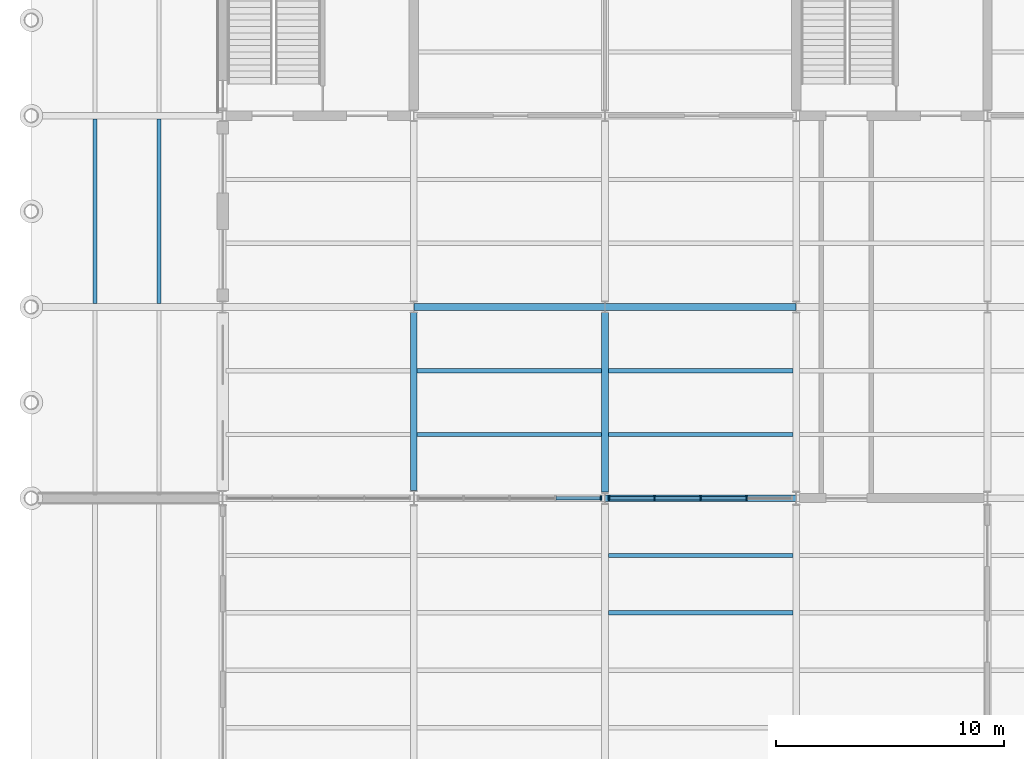
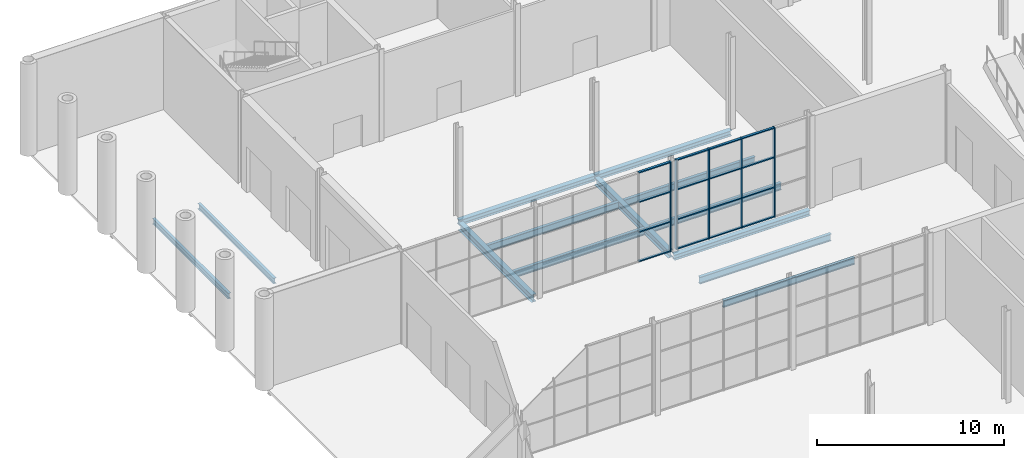
# One storey, part 16 of 55: 21 members, 13 beams, 2 elements without a shape of their own.
"""IFC4 building model written with IfcOpenShell, lengths in metres."""

from ifc_helpers import new_model, si_unit, direction, frame, origin, origin_2d, place, context, subcontext, project, spatial, rectangle, i_section, extrude, material, layer, layer_set, material_profile, profile_set, type_object, element, aggregate, save


model = new_model("IFC4")

# Units and contexts
model_context = context("Model", 3, precision=1e-05, world=origin(), true_north=direction((0.0, 1.0)))
body_context = subcontext(model_context, "Body", "Model", "MODEL_VIEW")
ifc_project = project(units=[si_unit("LENGTHUNIT", "METRE"), si_unit("AREAUNIT", "SQUARE_METRE"), si_unit("VOLUMEUNIT", "CUBIC_METRE"), si_unit("PLANEANGLEUNIT", "RADIAN"), si_unit("MASSUNIT", "GRAM", prefix="KILO")], contexts=[model_context])

# Site, building, storey
site_placement = place(None, origin())
site = spatial("IfcSite", under=ifc_project, at=site_placement, CompositionType="ELEMENT")
building_placement = place(site_placement, origin())
building = spatial("IfcBuilding", under=site, at=building_placement, Name="Galleria Vessillo Department Store", CompositionType="ELEMENT")
storey_placement = place(building_placement, origin())
storey = spatial("IfcBuildingStorey", under=building, at=storey_placement, Name="L00", CompositionType="ELEMENT", Elevation=0.0)

# Curtain wall, member
ifc_material_1 = material(Name="Aluminium and glass curtain wall", Category="aluminium")
ifc_layer = layer(ifc_material_1, 0.199951171875)
ifc_layer_set = layer_set([ifc_layer], Name="Aluminium and glass curtain wall")
curtain_wall_type = type_object("IfcCurtainWallType", Name="Arcade curtain wall CW1 2100 module", PredefinedType="NOTDEFINED", material=ifc_layer_set)
curtain_wall_1_placement = place(storey_placement, origin())
curtain_wall_1 = element("IfcCurtainWall", 1, at=curtain_wall_1_placement, inside=storey, type_object=curtain_wall_type, Name="Arcade curtain wall CW1 2100 module AI-AW-N-L00-01", PredefinedType="NOTDEFINED")
ifc_material_2 = material(Name="Aluminium alloy 6063 T6", Category="aluminium")
ifc_material_profile_1 = material_profile(ifc_material_2, rectangle(XDim=0.199951171875, YDim=0.06005859375, at=origin_2d()), Name="AL 60x200")
ifc_profile_set_1 = profile_set([ifc_material_profile_1], Name="Aluminium alloy 6063 T6")
member_type_1 = type_object("IfcMemberType", Name="Aluminium mullion 60 x 200", PredefinedType="MULLION", material=ifc_profile_set_1)
member_1_placement = place(storey_placement, frame((25.016845703125, 37.800048828125, 0.0), z_axis=(0.0, 0.0, 1.0), x_axis=(0.0, 1.0, 0.0)))
member_1 = element("IfcMember", 2, at=member_1_placement, type_object=member_type_1, Name="CW1 mullion 5", PredefinedType="MULLION", context=body_context, shape_type="SweptSolid", body=[
    extrude(rectangle(XDim=0.199951171875, YDim=0.06005859375, at=origin_2d()), origin(), (0.0, 0.0, 1.0), 5.85009765625),
])

# Curtain wall, members
curtain_wall_2_placement = place(storey_placement, origin())
curtain_wall_2 = element("IfcCurtainWall", 3, at=curtain_wall_2_placement, inside=storey, type_object=curtain_wall_type, Name="Arcade curtain wall CW1 2100 module AI-AW-N-L00-02", PredefinedType="NOTDEFINED")
member_2_placement = place(storey_placement, frame((25.383056640625, 37.800048828125, 0.0), z_axis=(0.0, 0.0, 1.0), x_axis=(0.0, 1.0, 0.0)))
member_2 = element("IfcMember", 4, at=member_2_placement, type_object=member_type_1, Name="CW1 mullion 1", PredefinedType="MULLION", context=body_context, shape_type="SweptSolid", body=[
    extrude(rectangle(XDim=0.199951171875, YDim=0.06005859375, at=origin_2d()), origin(), (0.0, 0.0, 1.0), 5.85009765625),
])
member_3_placement = place(storey_placement, frame((27.376708984375, 37.800048828125, 0.0), z_axis=(0.0, 0.0, 1.0), x_axis=(0.0, 1.0, 0.0)))
member_3 = element("IfcMember", 5, at=member_3_placement, type_object=member_type_1, Name="CW1 mullion 2", PredefinedType="MULLION", context=body_context, shape_type="SweptSolid", body=[
    extrude(rectangle(XDim=0.199951171875, YDim=0.06005859375, at=origin_2d()), origin(), (0.0, 0.0, 1.0), 5.85009765625),
])
member_4_placement = place(storey_placement, frame((29.400390625, 37.800048828125, 0.0), z_axis=(0.0, 0.0, 1.0), x_axis=(0.0, 1.0, 0.0)))
member_4 = element("IfcMember", 6, at=member_4_placement, type_object=member_type_1, Name="CW1 mullion 3", PredefinedType="MULLION", context=body_context, shape_type="SweptSolid", body=[
    extrude(rectangle(XDim=0.199951171875, YDim=0.06005859375, at=origin_2d()), origin(), (0.0, 0.0, 1.0), 5.85009765625),
])
member_5_placement = place(storey_placement, frame((31.423828125, 37.800048828125, 0.0), z_axis=(0.0, 0.0, 1.0), x_axis=(0.0, 1.0, 0.0)))
member_5 = element("IfcMember", 7, at=member_5_placement, type_object=member_type_1, Name="CW1 mullion 4", PredefinedType="MULLION", context=body_context, shape_type="SweptSolid", body=[
    extrude(rectangle(XDim=0.199951171875, YDim=0.06005859375, at=origin_2d()), origin(), (0.0, 0.0, 1.0), 5.85009765625),
])

# Member
ifc_material_3 = material(Name="Aluminium alloy 6063 T6", Category="aluminium")
ifc_material_profile_2 = material_profile(ifc_material_3, rectangle(XDim=0.139892578125, YDim=0.070068359375, at=origin_2d()), Name="AL 70x140")
ifc_profile_set_2 = profile_set([ifc_material_profile_2], Name="Aluminium alloy 6063 T6")
member_type_2 = type_object("IfcMemberType", Name="Aluminium transom 70 x 140", PredefinedType="USERDEFINED", material=ifc_profile_set_2)
member_6_placement = place(storey_placement, frame((23.05322265625, 37.800048828125, 0.034912109375), z_axis=(1.0, 0.0, 0.0), x_axis=(0.0, 1.0, 0.0)))
member_6 = element("IfcMember", 8, at=member_6_placement, type_object=member_type_2, Name="CW1 transom 4.1", ObjectType="TRANSOM", PredefinedType="USERDEFINED", context=body_context, shape_type="SweptSolid", body=[
    extrude(rectangle(XDim=0.139892578125, YDim=0.070068359375, at=origin_2d()), origin(), (0.0, 0.0, 1.0), 1.93359375),
])

member_7_placement = place(storey_placement, frame((23.05322265625, 37.800048828125, 1.949951171875), z_axis=(1.0, 0.0, 0.0), x_axis=(0.0, 1.0, 0.0)))
member_7 = element("IfcMember", 9, at=member_7_placement, type_object=member_type_2, Name="CW1 transom 4.2", ObjectType="TRANSOM", PredefinedType="USERDEFINED", context=body_context, shape_type="SweptSolid", body=[
    extrude(rectangle(XDim=0.139892578125, YDim=0.070068359375, at=origin_2d()), origin(), (0.0, 0.0, 1.0), 1.93359375),
])

member_8_placement = place(storey_placement, frame((23.05322265625, 37.800048828125, 3.900146484375), z_axis=(1.0, 0.0, 0.0), x_axis=(0.0, 1.0, 0.0)))
member_8 = element("IfcMember", 10, at=member_8_placement, type_object=member_type_2, Name="CW1 transom 4.3", ObjectType="TRANSOM", PredefinedType="USERDEFINED", context=body_context, shape_type="SweptSolid", body=[
    extrude(rectangle(XDim=0.139892578125, YDim=0.070068359375, at=origin_2d()), origin(), (0.0, 0.0, 1.0), 1.93359375),
])

member_9_placement = place(storey_placement, frame((23.05322265625, 37.800048828125, 5.815185546875), z_axis=(1.0, 0.0, 0.0), x_axis=(0.0, 1.0, 0.0)))
member_9 = element("IfcMember", 11, at=member_9_placement, type_object=member_type_2, Name="CW1 transom 4.4", ObjectType="TRANSOM", PredefinedType="USERDEFINED", context=body_context, shape_type="SweptSolid", body=[
    extrude(rectangle(XDim=0.139892578125, YDim=0.070068359375, at=origin_2d()), origin(), (0.0, 0.0, 1.0), 1.93359375),
])

aggregate(curtain_wall_1, [member_1, member_6, member_7, member_8, member_9])

member_10_placement = place(storey_placement, frame((25.4130859375, 37.800048828125, 0.034912109375), z_axis=(1.0, 0.0, 0.0), x_axis=(0.0, 1.0, 0.0)))
member_10 = element("IfcMember", 12, at=member_10_placement, type_object=member_type_2, Name="CW1 transom 1.1", ObjectType="TRANSOM", PredefinedType="USERDEFINED", context=body_context, shape_type="SweptSolid", body=[
    extrude(rectangle(XDim=0.139892578125, YDim=0.070068359375, at=origin_2d()), origin(), (0.0, 0.0, 1.0), 1.93359375),
])

member_11_placement = place(storey_placement, frame((25.4130859375, 37.800048828125, 1.949951171875), z_axis=(1.0, 0.0, 0.0), x_axis=(0.0, 1.0, 0.0)))
member_11 = element("IfcMember", 13, at=member_11_placement, type_object=member_type_2, Name="CW1 transom 1.2", ObjectType="TRANSOM", PredefinedType="USERDEFINED", context=body_context, shape_type="SweptSolid", body=[
    extrude(rectangle(XDim=0.139892578125, YDim=0.070068359375, at=origin_2d()), origin(), (0.0, 0.0, 1.0), 1.93359375),
])

member_12_placement = place(storey_placement, frame((25.4130859375, 37.800048828125, 3.900146484375), z_axis=(1.0, 0.0, 0.0), x_axis=(0.0, 1.0, 0.0)))
member_12 = element("IfcMember", 14, at=member_12_placement, type_object=member_type_2, Name="CW1 transom 1.3", ObjectType="TRANSOM", PredefinedType="USERDEFINED", context=body_context, shape_type="SweptSolid", body=[
    extrude(rectangle(XDim=0.139892578125, YDim=0.070068359375, at=origin_2d()), origin(), (0.0, 0.0, 1.0), 1.93359375),
])

member_13_placement = place(storey_placement, frame((25.4130859375, 37.800048828125, 5.815185546875), z_axis=(1.0, 0.0, 0.0), x_axis=(0.0, 1.0, 0.0)))
member_13 = element("IfcMember", 15, at=member_13_placement, type_object=member_type_2, Name="CW1 transom 1.4", ObjectType="TRANSOM", PredefinedType="USERDEFINED", context=body_context, shape_type="SweptSolid", body=[
    extrude(rectangle(XDim=0.139892578125, YDim=0.070068359375, at=origin_2d()), origin(), (0.0, 0.0, 1.0), 1.93359375),
])

member_14_placement = place(storey_placement, frame((27.40673828125, 37.800048828125, 0.034912109375), z_axis=(1.0, 0.0, 0.0), x_axis=(0.0, 1.0, 0.0)))
member_14 = element("IfcMember", 16, at=member_14_placement, type_object=member_type_2, Name="CW1 transom 2.1", ObjectType="TRANSOM", PredefinedType="USERDEFINED", context=body_context, shape_type="SweptSolid", body=[
    extrude(rectangle(XDim=0.139892578125, YDim=0.070068359375, at=origin_2d()), origin(), (0.0, 0.0, 1.0), 1.963623046875),
])

member_15_placement = place(storey_placement, frame((27.40673828125, 37.800048828125, 1.949951171875), z_axis=(1.0, 0.0, 0.0), x_axis=(0.0, 1.0, 0.0)))
member_15 = element("IfcMember", 17, at=member_15_placement, type_object=member_type_2, Name="CW1 transom 2.2", ObjectType="TRANSOM", PredefinedType="USERDEFINED", context=body_context, shape_type="SweptSolid", body=[
    extrude(rectangle(XDim=0.139892578125, YDim=0.070068359375, at=origin_2d()), origin(), (0.0, 0.0, 1.0), 1.963623046875),
])

member_16_placement = place(storey_placement, frame((27.40673828125, 37.800048828125, 3.900146484375), z_axis=(1.0, 0.0, 0.0), x_axis=(0.0, 1.0, 0.0)))
member_16 = element("IfcMember", 18, at=member_16_placement, type_object=member_type_2, Name="CW1 transom 2.3", ObjectType="TRANSOM", PredefinedType="USERDEFINED", context=body_context, shape_type="SweptSolid", body=[
    extrude(rectangle(XDim=0.139892578125, YDim=0.070068359375, at=origin_2d()), origin(), (0.0, 0.0, 1.0), 1.963623046875),
])

member_17_placement = place(storey_placement, frame((27.40673828125, 37.800048828125, 5.815185546875), z_axis=(1.0, 0.0, 0.0), x_axis=(0.0, 1.0, 0.0)))
member_17 = element("IfcMember", 19, at=member_17_placement, type_object=member_type_2, Name="CW1 transom 2.4", ObjectType="TRANSOM", PredefinedType="USERDEFINED", context=body_context, shape_type="SweptSolid", body=[
    extrude(rectangle(XDim=0.139892578125, YDim=0.070068359375, at=origin_2d()), origin(), (0.0, 0.0, 1.0), 1.963623046875),
])

member_18_placement = place(storey_placement, frame((29.43017578125, 37.800048828125, 0.034912109375), z_axis=(1.0, 0.0, 0.0), x_axis=(0.0, 1.0, 0.0)))
member_18 = element("IfcMember", 20, at=member_18_placement, type_object=member_type_2, Name="CW1 transom 3.1", ObjectType="TRANSOM", PredefinedType="USERDEFINED", context=body_context, shape_type="SweptSolid", body=[
    extrude(rectangle(XDim=0.139892578125, YDim=0.070068359375, at=origin_2d()), origin(), (0.0, 0.0, 1.0), 1.963623046875),
])

member_19_placement = place(storey_placement, frame((29.43017578125, 37.800048828125, 1.949951171875), z_axis=(1.0, 0.0, 0.0), x_axis=(0.0, 1.0, 0.0)))
member_19 = element("IfcMember", 21, at=member_19_placement, type_object=member_type_2, Name="CW1 transom 3.2", ObjectType="TRANSOM", PredefinedType="USERDEFINED", context=body_context, shape_type="SweptSolid", body=[
    extrude(rectangle(XDim=0.139892578125, YDim=0.070068359375, at=origin_2d()), origin(), (0.0, 0.0, 1.0), 1.963623046875),
])

member_20_placement = place(storey_placement, frame((29.43017578125, 37.800048828125, 3.900146484375), z_axis=(1.0, 0.0, 0.0), x_axis=(0.0, 1.0, 0.0)))
member_20 = element("IfcMember", 22, at=member_20_placement, type_object=member_type_2, Name="CW1 transom 3.3", ObjectType="TRANSOM", PredefinedType="USERDEFINED", context=body_context, shape_type="SweptSolid", body=[
    extrude(rectangle(XDim=0.139892578125, YDim=0.070068359375, at=origin_2d()), origin(), (0.0, 0.0, 1.0), 1.963623046875),
])

member_21_placement = place(storey_placement, frame((29.43017578125, 37.800048828125, 5.815185546875), z_axis=(1.0, 0.0, 0.0), x_axis=(0.0, 1.0, 0.0)))
member_21 = element("IfcMember", 23, at=member_21_placement, type_object=member_type_2, Name="CW1 transom 3.4", ObjectType="TRANSOM", PredefinedType="USERDEFINED", context=body_context, shape_type="SweptSolid", body=[
    extrude(rectangle(XDim=0.139892578125, YDim=0.070068359375, at=origin_2d()), origin(), (0.0, 0.0, 1.0), 1.963623046875),
])

aggregate(curtain_wall_2, [member_2, member_3, member_4, member_5, member_10, member_11, member_12, member_13, member_14, member_15, member_16, member_17, member_18, member_19, member_20, member_21])

# Beams
ifc_material_4 = material(Name="Steel S355 J2", Category="steel")
ifc_material_profile_3 = material_profile(ifc_material_4, i_section(OverallWidth=0.300048828125, OverallDepth=0.489990234375, WebThickness=0.011962890625, FlangeThickness=0.02294921875, FilletRadius=0.027099609375, at=origin_2d()), Name="HEA 500")
ifc_profile_set_3 = profile_set([ifc_material_profile_3], Name="Steel S355 J2")
beam_type_1 = type_object("IfcBeamType", Name="Floor girder HEA 500", PredefinedType="BEAM", material=ifc_profile_set_3)
beam_1_placement = place(storey_placement, frame((16.800048828125, 38.134033203125, -0.39501953125), z_axis=(0.0, 1.0, 0.0), x_axis=(-1.0, 0.0, 0.0)))
element("IfcBeam", 24, at=beam_1_placement, inside=storey, type_object=beam_type_1, Name="S-BM-L00-GI-y16800-38134", PredefinedType="BEAM", context=body_context, shape_type="SweptSolid", body=[
    extrude(i_section(OverallWidth=0.300048828125, OverallDepth=0.489990234375, WebThickness=0.011962890625, FlangeThickness=0.02294921875, FilletRadius=0.027099609375, at=origin_2d()), origin(), (0.0, 0.0, 1.0), 7.81591796875),
])
beam_2_placement = place(storey_placement, frame((25.199951171875, 38.06201171875, -0.39501953125), z_axis=(0.0, 1.0, 0.0), x_axis=(-1.0, 0.0, 0.0)))
element("IfcBeam", 25, at=beam_2_placement, inside=storey, type_object=beam_type_1, Name="S-BM-L00-GI-y25200-38062", PredefinedType="BEAM", context=body_context, shape_type="SweptSolid", body=[
    extrude(i_section(OverallWidth=0.300048828125, OverallDepth=0.489990234375, WebThickness=0.011962890625, FlangeThickness=0.02294921875, FilletRadius=0.027099609375, at=origin_2d()), origin(), (0.0, 0.0, 1.0), 7.887939453125),
])
ifc_material_5 = material(Name="Steel S355 J2", Category="steel")
ifc_material_profile_4 = material_profile(ifc_material_5, i_section(OverallWidth=0.169921875, OverallDepth=0.360107421875, WebThickness=0.008056640625, FlangeThickness=0.0126953125, FilletRadius=0.01806640625, at=origin_2d()), Name="IPE 360")
ifc_profile_set_4 = profile_set([ifc_material_profile_4], Name="Steel S355 J2")
beam_type_2 = type_object("IfcBeamType", Name="Floor joist IPE 360", PredefinedType="JOIST", material=ifc_profile_set_4)
for number, where, z_axis, x_axis, name in (
    (26, (2.800048828125, 46.35009765625, -0.329833984375), (0.0, 1.0, 0.0), (-1.0, 0.0, 0.0), "S-BM-L00-JO-y2800-46350"),
    (27, (5.60009765625, 46.35009765625, -0.329833984375), (0.0, 1.0, 0.0), (-1.0, 0.0, 0.0), "S-BM-L00-JO-y5600-46350"),
):
    element("IfcBeam", number, at=place(storey_placement, frame(where, z_axis=z_axis, x_axis=x_axis)), inside=storey, type_object=beam_type_2, Name=name, PredefinedType="JOIST", context=body_context, shape_type="SweptSolid", body=[
        extrude(i_section(OverallWidth=0.169921875, OverallDepth=0.360107421875, WebThickness=0.008056640625, FlangeThickness=0.0126953125, FilletRadius=0.01806640625, at=origin_2d()), origin(), (0.0, 0.0, 1.0), 8.099853515625),
    ])
ifc_material_6 = material(Name="Steel S355 J2", Category="steel")
ifc_material_profile_5 = material_profile(ifc_material_6, i_section(OverallWidth=0.18994140625, OverallDepth=0.449951171875, WebThickness=0.009521484375, FlangeThickness=0.0146484375, FilletRadius=0.02099609375, at=origin_2d()), Name="IPE 450")
ifc_profile_set_5 = profile_set([ifc_material_profile_5], Name="Steel S355 J2")
beam_type_3 = type_object("IfcBeamType", Name="Floor joist IPE 450", PredefinedType="JOIST", material=ifc_profile_set_5)
for number, where, z_axis, x_axis, name in (
    (28, (16.9501953125, 40.60009765625, -0.375), (1.0, 0.0, 0.0), (0.0, 1.0, 0.0), "S-BM-L00-JO-x40600-16950"),
    (29, (16.9501953125, 43.39990234375, -0.375), (1.0, 0.0, 0.0), (0.0, 1.0, 0.0), "S-BM-L00-JO-x43400-16950"),
):
    element("IfcBeam", number, at=place(storey_placement, frame(where, z_axis=z_axis, x_axis=x_axis)), inside=storey, type_object=beam_type_3, Name=name, PredefinedType="JOIST", context=body_context, shape_type="SweptSolid", body=[
        extrude(i_section(OverallWidth=0.18994140625, OverallDepth=0.449951171875, WebThickness=0.009521484375, FlangeThickness=0.0146484375, FilletRadius=0.02099609375, at=origin_2d()), origin(), (0.0, 0.0, 1.0), 8.099609375),
    ])
for number, where, z_axis, x_axis, name in (
    (30, (25.35009765625, 32.760009765625, -0.47509765625), (1.0, 0.0, 0.0), (0.0, 1.0, 0.0), "S-BM-L00-JO-x32760-25350"),
    (31, (25.35009765625, 35.280029296875, -0.47509765625), (1.0, 0.0, 0.0), (0.0, 1.0, 0.0), "S-BM-L00-JO-x35280-25350"),
    (32, (25.35009765625, 40.60009765625, -0.375), (1.0, 0.0, 0.0), (0.0, 1.0, 0.0), "S-BM-L00-JO-x40600-25350"),
    (33, (25.35009765625, 43.39990234375, -0.375), (1.0, 0.0, 0.0), (0.0, 1.0, 0.0), "S-BM-L00-JO-x43400-25350"),
):
    element("IfcBeam", number, at=place(storey_placement, frame(where, z_axis=z_axis, x_axis=x_axis)), inside=storey, type_object=beam_type_3, Name=name, PredefinedType="JOIST", context=body_context, shape_type="SweptSolid", body=[
        extrude(i_section(OverallWidth=0.18994140625, OverallDepth=0.449951171875, WebThickness=0.009521484375, FlangeThickness=0.0146484375, FilletRadius=0.02099609375, at=origin_2d()), origin(), (0.0, 0.0, 1.0), 8.099853515625),
    ])
ifc_material_7 = material(Name="Steel S355 J2", Category="steel")
ifc_material_profile_6 = material_profile(ifc_material_7, i_section(OverallWidth=0.300048828125, OverallDepth=0.35009765625, WebThickness=0.010009765625, FlangeThickness=0.017578125, FilletRadius=0.027099609375, at=origin_2d()), Name="HEA 360")
ifc_profile_set_6 = profile_set([ifc_material_profile_6], Name="Steel S355 J2")
beam_type_4 = type_object("IfcBeamType", Name="Floor tie girder HEA 360", PredefinedType="BEAM", material=ifc_profile_set_6)
beam_3_placement = place(storey_placement, frame((25.210693359375, 37.800048828125, -0.425048828125), z_axis=(1.0, 0.0, 0.0), x_axis=(0.0, 1.0, 0.0)))
element("IfcBeam", 34, at=beam_3_placement, inside=storey, type_object=beam_type_4, Name="S-BM-L00-TI-x37800-25211", PredefinedType="BEAM", context=body_context, shape_type="SweptSolid", body=[
    extrude(i_section(OverallWidth=0.300048828125, OverallDepth=0.35009765625, WebThickness=0.010009765625, FlangeThickness=0.017578125, FilletRadius=0.027099609375, at=origin_2d()), origin(), (0.0, 0.0, 1.0), 8.378662109375),
])
for number, where, z_axis, x_axis, name in (
    (35, (16.807373046875, 46.199951171875, -0.324951171875), (1.0, 0.0, 0.0), (0.0, 1.0, 0.0), "S-BM-L00-TI-x46200-16807"),
    (36, (25.207275390625, 46.199951171875, -0.324951171875), (1.0, 0.0, 0.0), (0.0, 1.0, 0.0), "S-BM-L00-TI-x46200-25207"),
):
    element("IfcBeam", number, at=place(storey_placement, frame(where, z_axis=z_axis, x_axis=x_axis)), inside=storey, type_object=beam_type_4, Name=name, PredefinedType="BEAM", context=body_context, shape_type="SweptSolid", body=[
        extrude(i_section(OverallWidth=0.300048828125, OverallDepth=0.35009765625, WebThickness=0.010009765625, FlangeThickness=0.017578125, FilletRadius=0.027099609375, at=origin_2d()), origin(), (0.0, 0.0, 1.0), 8.38525390625),
    ])

save(model, "model.ifc")
